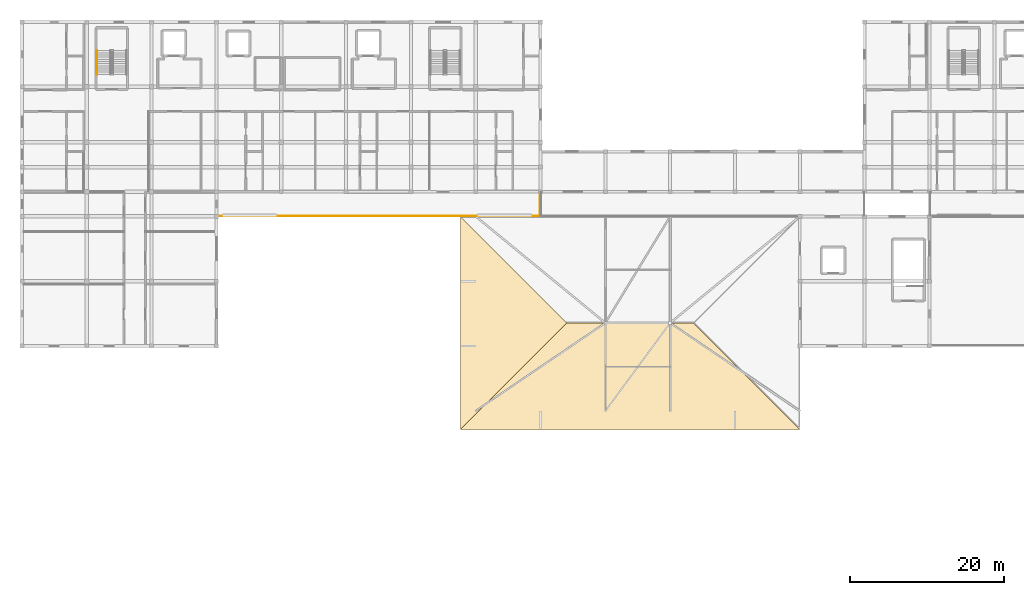
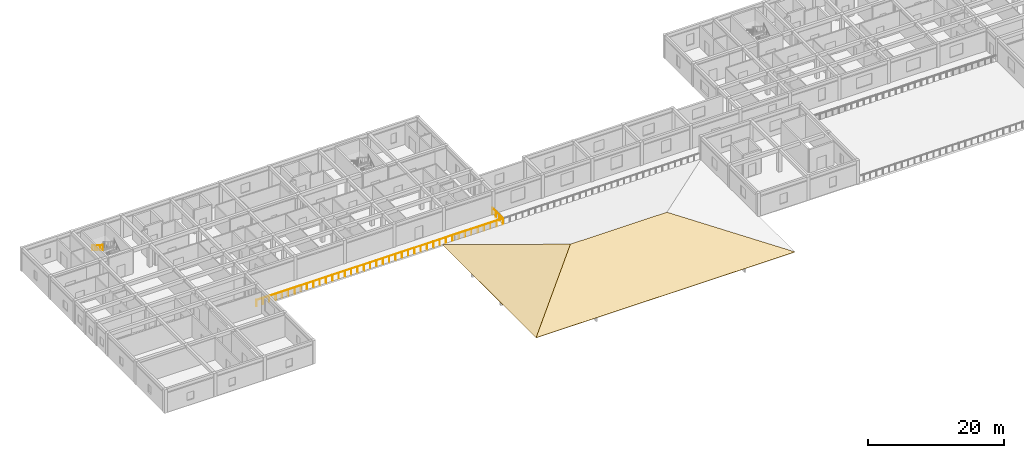
# One storey, part 22 of 28: 2 coverings, 2 railings, 1 element without a shape of its own.
"""IFC4 building model written with IfcOpenShell, lengths in metres."""

from ifc_helpers import new_model, si_unit, direction, frame, origin, origin_2d, place, context, subcontext, project, spatial, polyline, circle, outline, extrude, material, layer, layer_set, type_object, element, aggregate, save


model = new_model("IFC4")

# Units and contexts
model_context = context("Model", 3, precision=1e-05, world=origin(), true_north=direction((0.0, 1.0)))
body_context = subcontext(model_context, "Body", "Model", "MODEL_VIEW")
ifc_project = project(units=[si_unit("LENGTHUNIT", "METRE"), si_unit("AREAUNIT", "SQUARE_METRE"), si_unit("VOLUMEUNIT", "CUBIC_METRE"), si_unit("PLANEANGLEUNIT", "RADIAN"), si_unit("MASSUNIT", "GRAM", prefix="KILO")], contexts=[model_context])

# Site, building, storey
site_placement = place(None, origin())
site = spatial("IfcSite", under=ifc_project, at=site_placement, CompositionType="ELEMENT")
building_placement = place(site_placement, origin())
building = spatial("IfcBuilding", under=site, at=building_placement, Name="Varncliffe General Hospital", CompositionType="ELEMENT")
storey_placement = place(building_placement, frame((0.0, 0.0, 24.60009765625)))
storey = spatial("IfcBuildingStorey", under=building, at=storey_placement, Name="L05", CompositionType="ELEMENT", Elevation=24.60009765625)

# Railings
ifc_material_1 = material(Name="Powder-coated wrought-iron and bronze balustrade", Category="steel")
railing_type_1 = type_object("IfcRailingType", Name="Spanish Colonial Wrought-Iron Terrace Balustrade BL44", PredefinedType="BALUSTRADE", material=ifc_material_1)
railing_1_placement = place(storey_placement, frame((25.280029296875, 99.659912109375, 0.0)))
element("IfcRailing", 1, at=railing_1_placement, inside=storey, type_object=railing_type_1, Name="L05 West Step-1 Healing Roof Terrace Balustrade 1", PredefinedType="BALUSTRADE", context=body_context, shape_type="SweptSolid", body=[
    extrude(circle(Radius=0.02392578125, at=origin_2d()), frame((0.0, 0.0, 1.076171875), z_axis=(1.0, 0.0, 0.0), x_axis=(0.0, 1.0, 0.0)), (0.0, 0.0, 1.0), 41.85986328125),
    extrude(circle(Radius=0.02392578125, at=origin_2d()), frame((41.85986328125, 0.0, 1.076171875), z_axis=(0.0, 1.0, 0.0), x_axis=(-1.0, 0.0, 0.0)), (0.0, 0.0, 1.0), 3.06005859375),
    extrude(circle(Radius=0.02099609375, at=origin_2d()), origin(), (0.0, 0.0, 1.0), 1.052001953125),
    extrude(circle(Radius=0.02099609375, at=origin_2d()), frame((1.0732421875, 0.0, 0.0)), (0.0, 0.0, 1.0), 1.052001953125),
    extrude(circle(Radius=0.02099609375, at=origin_2d()), frame((2.146728515625, 0.0, 0.0)), (0.0, 0.0, 1.0), 1.052001953125),
    extrude(circle(Radius=0.02099609375, at=origin_2d()), frame((3.219970703125, 0.0, 0.0)), (0.0, 0.0, 1.0), 1.052001953125),
    extrude(circle(Radius=0.02099609375, at=origin_2d()), frame((4.293212890625, 0.0, 0.0)), (0.0, 0.0, 1.0), 1.052001953125),
    extrude(circle(Radius=0.02099609375, at=origin_2d()), frame((5.36669921875, 0.0, 0.0)), (0.0, 0.0, 1.0), 1.052001953125),
    extrude(circle(Radius=0.02099609375, at=origin_2d()), frame((6.43994140625, 0.0, 0.0)), (0.0, 0.0, 1.0), 1.052001953125),
    extrude(circle(Radius=0.02099609375, at=origin_2d()), frame((7.513427734375, 0.0, 0.0)), (0.0, 0.0, 1.0), 1.052001953125),
    extrude(circle(Radius=0.02099609375, at=origin_2d()), frame((8.586669921875, 0.0, 0.0)), (0.0, 0.0, 1.0), 1.052001953125),
    extrude(circle(Radius=0.02099609375, at=origin_2d()), frame((9.659912109375, 0.0, 0.0)), (0.0, 0.0, 1.0), 1.052001953125),
    extrude(circle(Radius=0.02099609375, at=origin_2d()), frame((10.7333984375, 0.0, 0.0)), (0.0, 0.0, 1.0), 1.052001953125),
    extrude(circle(Radius=0.02099609375, at=origin_2d()), frame((11.806640625, 0.0, 0.0)), (0.0, 0.0, 1.0), 1.052001953125),
    extrude(circle(Radius=0.02099609375, at=origin_2d()), frame((12.8798828125, 0.0, 0.0)), (0.0, 0.0, 1.0), 1.052001953125),
    extrude(circle(Radius=0.02099609375, at=origin_2d()), frame((13.953369140625, 0.0, 0.0)), (0.0, 0.0, 1.0), 1.052001953125),
    extrude(circle(Radius=0.02099609375, at=origin_2d()), frame((15.026611328125, 0.0, 0.0)), (0.0, 0.0, 1.0), 1.052001953125),
    extrude(circle(Radius=0.02099609375, at=origin_2d()), frame((16.099853515625, 0.0, 0.0)), (0.0, 0.0, 1.0), 1.052001953125),
    extrude(circle(Radius=0.02099609375, at=origin_2d()), frame((17.17333984375, 0.0, 0.0)), (0.0, 0.0, 1.0), 1.052001953125),
    extrude(circle(Radius=0.02099609375, at=origin_2d()), frame((18.24658203125, 0.0, 0.0)), (0.0, 0.0, 1.0), 1.052001953125),
    extrude(circle(Radius=0.02099609375, at=origin_2d()), frame((19.31982421875, 0.0, 0.0)), (0.0, 0.0, 1.0), 1.052001953125),
    extrude(circle(Radius=0.02099609375, at=origin_2d()), frame((20.393310546875, 0.0, 0.0)), (0.0, 0.0, 1.0), 1.052001953125),
    extrude(circle(Radius=0.02099609375, at=origin_2d()), frame((21.466552734375, 0.0, 0.0)), (0.0, 0.0, 1.0), 1.052001953125),
    extrude(circle(Radius=0.02099609375, at=origin_2d()), frame((22.5400390625, 0.0, 0.0)), (0.0, 0.0, 1.0), 1.052001953125),
    extrude(circle(Radius=0.02099609375, at=origin_2d()), frame((23.61328125, 0.0, 0.0)), (0.0, 0.0, 1.0), 1.052001953125),
    extrude(circle(Radius=0.02099609375, at=origin_2d()), frame((24.6865234375, 0.0, 0.0)), (0.0, 0.0, 1.0), 1.052001953125),
    extrude(circle(Radius=0.02099609375, at=origin_2d()), frame((25.760009765625, 0.0, 0.0)), (0.0, 0.0, 1.0), 1.052001953125),
    extrude(circle(Radius=0.02099609375, at=origin_2d()), frame((26.833251953125, 0.0, 0.0)), (0.0, 0.0, 1.0), 1.052001953125),
    extrude(circle(Radius=0.02099609375, at=origin_2d()), frame((27.906494140625, 0.0, 0.0)), (0.0, 0.0, 1.0), 1.052001953125),
    extrude(circle(Radius=0.02099609375, at=origin_2d()), frame((28.97998046875, 0.0, 0.0)), (0.0, 0.0, 1.0), 1.052001953125),
    extrude(circle(Radius=0.02099609375, at=origin_2d()), frame((30.05322265625, 0.0, 0.0)), (0.0, 0.0, 1.0), 1.052001953125),
    extrude(circle(Radius=0.02099609375, at=origin_2d()), frame((31.12646484375, 0.0, 0.0)), (0.0, 0.0, 1.0), 1.052001953125),
    extrude(circle(Radius=0.02099609375, at=origin_2d()), frame((32.199951171875, 0.0, 0.0)), (0.0, 0.0, 1.0), 1.052001953125),
    extrude(circle(Radius=0.02099609375, at=origin_2d()), frame((33.273193359375, 0.0, 0.0)), (0.0, 0.0, 1.0), 1.052001953125),
    extrude(circle(Radius=0.02099609375, at=origin_2d()), frame((34.346435546875, 0.0, 0.0)), (0.0, 0.0, 1.0), 1.052001953125),
    extrude(circle(Radius=0.02099609375, at=origin_2d()), frame((35.419921875, 0.0, 0.0)), (0.0, 0.0, 1.0), 1.052001953125),
    extrude(circle(Radius=0.02099609375, at=origin_2d()), frame((36.4931640625, 0.0, 0.0)), (0.0, 0.0, 1.0), 1.052001953125),
    extrude(circle(Radius=0.02099609375, at=origin_2d()), frame((37.566650390625, 0.0, 0.0)), (0.0, 0.0, 1.0), 1.052001953125),
    extrude(circle(Radius=0.02099609375, at=origin_2d()), frame((38.639892578125, 0.0, 0.0)), (0.0, 0.0, 1.0), 1.052001953125),
    extrude(circle(Radius=0.02099609375, at=origin_2d()), frame((39.713134765625, 0.0, 0.0)), (0.0, 0.0, 1.0), 1.052001953125),
    extrude(circle(Radius=0.02099609375, at=origin_2d()), frame((40.78662109375, 0.0, 0.0)), (0.0, 0.0, 1.0), 1.052001953125),
    extrude(circle(Radius=0.02099609375, at=origin_2d()), frame((41.85986328125, 0.0, 0.0)), (0.0, 0.0, 1.0), 1.052001953125),
    extrude(circle(Radius=0.02099609375, at=origin_2d()), frame((41.85986328125, 1.02001953125, 0.0)), (0.0, 0.0, 1.0), 1.052001953125),
    extrude(circle(Radius=0.02099609375, at=origin_2d()), frame((41.85986328125, 2.0400390625, 0.0)), (0.0, 0.0, 1.0), 1.052001953125),
    extrude(circle(Radius=0.02099609375, at=origin_2d()), frame((41.85986328125, 3.06005859375, 0.0)), (0.0, 0.0, 1.0), 1.052001953125),
])
ifc_material_2 = material(Name="Powder-coated hospital steel guardrail and handrail", Category="steel")
railing_type_2 = type_object("IfcRailingType", Name="Stair and Ramp Handrail HR46", PredefinedType="HANDRAIL", material=ifc_material_2)
railing_2_placement = place(storey_placement, frame((9.75, 121.080078125, 2.453857421875)))
element("IfcRailing", 2, at=railing_2_placement, inside=storey, type_object=railing_type_2, Name="L05 ST01 stair handrail 2", PredefinedType="HANDRAIL", context=body_context, shape_type="SweptSolid", body=[
    extrude(circle(Radius=0.02392578125, at=origin_2d()), frame((0.0, 0.0, 0.8759765625), z_axis=(0.0, -0.847998304005, 0.529998940003), x_axis=(1.0, 0.0, 0.0)), (0.0, 0.0, 1.0), 3.632080078125),
    extrude(circle(Radius=0.02099609375, at=origin_2d()), origin(), (0.0, 0.0, 1.0), 0.851806640625),
    extrude(circle(Radius=0.02099609375, at=origin_2d()), frame((0.0, -0.77001953125, 0.481201171875)), (0.0, 0.0, 1.0), 0.851806640625),
    extrude(circle(Radius=0.02099609375, at=origin_2d()), frame((0.0, -1.5400390625, 0.96240234375)), (0.0, 0.0, 1.0), 0.851806640625),
    extrude(circle(Radius=0.02099609375, at=origin_2d()), frame((0.0, -2.31005859375, 1.44384765625)), (0.0, 0.0, 1.0), 0.851806640625),
    extrude(circle(Radius=0.02099609375, at=origin_2d()), frame((0.0, -3.080078125, 1.925048828125)), (0.0, 0.0, 1.0), 0.851806640625),
])

# Roof, coverings
ifc_material_3 = material(Name="Terracotta clay roof tile over waterproof membrane", Category="masonry")
roof_type = type_object("IfcRoofType", Name="Hipped Clay-Tile Roof Assembly HR20", PredefinedType="HIP_ROOF", material=ifc_material_3)
roof_placement = place(storey_placement, origin())
roof = element("IfcRoof", 3, at=roof_placement, inside=storey, type_object=roof_type, Name="L05 Hipped Roof RF-V4-OR", PredefinedType="HIP_ROOF")
ifc_layer = layer(ifc_material_3, 0.044921875)
ifc_layer_set = layer_set([ifc_layer], Name="Terracotta clay roof tile over waterproof membrane")
covering_type = type_object("IfcCoveringType", Name="Terracotta Clay Tile Roofing RFG24", PredefinedType="ROOFING", material=ifc_layer_set)
covering_1_placement = place(storey_placement, frame((56.800048828125, 72.0, 0.044921875), z_axis=(0.0, -0.252427471975, 0.967615818077), x_axis=(1.0, 0.0, 0.0)))
covering_1 = element("IfcCovering", 4, at=covering_1_placement, type_object=covering_type, Name="L05 RF-V4-OR Terracotta Clay Tile Slope S", PredefinedType="ROOFING", context=body_context, shape_type="SweptSolid", body=[
    extrude(outline(polyline([(0.0, 0.0), (44.0, 0.0), (30.199951171875, 14.26190908655538), (13.800048828125, 14.26190908655538), (0.0, 0.0)])), origin(), (0.0, 0.0, -1.0), 0.044921875),
])
covering_2_placement = place(storey_placement, frame((56.800048828125, 99.60009765625, 0.044921875), z_axis=(-0.252427471975, 0.0, 0.967615818077), x_axis=(0.0, -1.0, 0.0)))
covering_2 = element("IfcCovering", 5, at=covering_2_placement, type_object=covering_type, Name="L05 RF-V4-OR Terracotta Clay Tile Slope W", PredefinedType="ROOFING", context=body_context, shape_type="SweptSolid", body=[
    extrude(outline(polyline([(0.0, 0.0), (27.60009765625, 0.0), (13.800048828125, 14.26190908655538), (0.0, 0.0)])), origin(), (0.0, 0.0, -1.0), 0.044921875),
])
aggregate(roof, [covering_1, covering_2])

save(model, "model.ifc")
